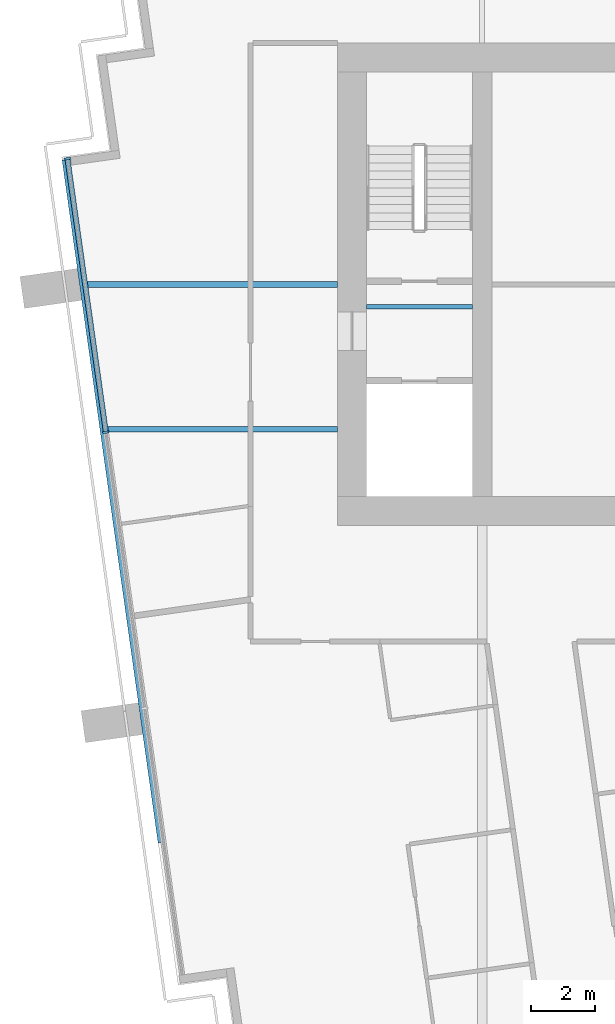
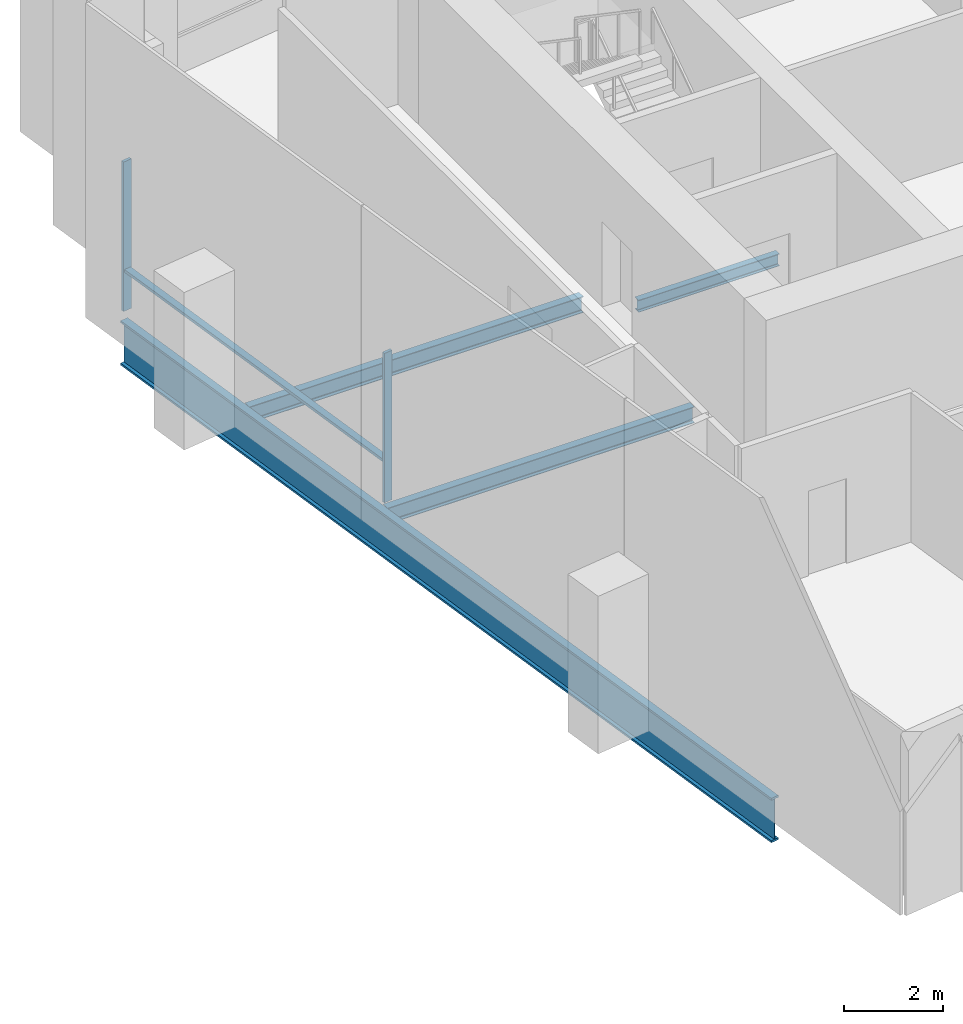
# One storey, part 3 of 15: 4 beams, 3 members, 1 element without a shape of its own.
"""IFC4 building model written with IfcOpenShell, lengths in metres."""

import ifcopenshell
import ifcopenshell.guid

model = None  # the IFC model being written
_history = None  # IfcOwnerHistory: only IFC2X3 demands one
_inside = {}  # id of a spatial element -> (the spatial element, [elements in it])
_under = {}  # id of a project, library or spatial element -> (it, [spatial elements below it])
_declared = {}  # id of a project -> (the project, [libraries it declares])
_typed = {}  # id of a type object -> (the type object, [elements of that type])
_made_of = {}  # id of a material, layer set ... -> (it, [elements and type objects made of it])


def new_model(schema):
    """Start an empty IFC model of exactly this schema.

    Asked for "IFC4X3", IfcOpenShell would pick the latest addendum, in which some entities
    have other attributes; the version numbers below select the first issue.
    IFC2X3 requires an IfcOwnerHistory on every rooted entity: one is made here for all.
    """
    global model, _history
    if schema == "IFC4X3":
        model = ifcopenshell.file(schema_version=(4, 3, 0, 0))
    else:
        model = ifcopenshell.file(schema=schema)
    _inside.clear()
    _under.clear()
    _declared.clear()
    _typed.clear()
    _made_of.clear()
    _history = None
    if model.schema == "IFC2X3":
        org = make("IfcOrganization", Name="unknown")
        user = make(
            "IfcPersonAndOrganization",
            ThePerson=make("IfcPerson", FamilyName="unknown"),
            TheOrganization=org,
        )
        app = make(
            "IfcApplication",
            ApplicationDeveloper=org,
            Version="unknown",
            ApplicationFullName="unknown",
            ApplicationIdentifier="unknown",
        )
        _history = make(
            "IfcOwnerHistory",
            OwningUser=user,
            OwningApplication=app,
            ChangeAction="ADDED",
            CreationDate=0,
        )
    return model


def make(cls, **values):
    """One entity of the class cls with the attributes given. An attribute that is None is left unset."""
    return model.create_entity(
        cls, **{name: value for name, value in values.items() if value is not None}
    )


def rooted(cls, **values):
    """An entity with a GlobalId (a new one), such as an element, a storey or a relation."""
    return make(cls, GlobalId=ifcopenshell.guid.new(), OwnerHistory=_history, **values)


def si_unit(unit_type, name, prefix=None):
    """IfcSIUnit, for example si_unit("LENGTHUNIT", "METRE", prefix="MILLI")."""
    return make("IfcSIUnit", UnitType=unit_type, Prefix=prefix, Name=name)


def assignment(units):
    """IfcUnitAssignment: the units of a project."""
    return None if units is None else make("IfcUnitAssignment", Units=units)


def point(xyz):
    """IfcCartesianPoint."""
    return None if xyz is None else make("IfcCartesianPoint", Coordinates=xyz)


def direction(xyz):
    """IfcDirection."""
    return None if xyz is None else make("IfcDirection", DirectionRatios=xyz)


def frame(location, z_axis=None, x_axis=None):
    """IfcAxis2Placement3D, a coordinate frame: its origin and axes. An axis left out is left unset."""
    return make(
        "IfcAxis2Placement3D",
        Location=point(location),
        Axis=direction(z_axis),
        RefDirection=direction(x_axis),
    )


def frame_2d(location, x_axis=None):
    """IfcAxis2Placement2D, a coordinate frame in the plane: its origin and x axis."""
    return make(
        "IfcAxis2Placement2D", Location=point(location), RefDirection=direction(x_axis)
    )


def origin():
    """The frame at (0, 0, 0) with its axes left unset."""
    return frame((0.0, 0.0, 0.0))


def origin_2d():
    """The frame at (0, 0) in the plane with its x axis left unset."""
    return frame_2d((0.0, 0.0))


def place(relative_to, where):
    """IfcLocalPlacement: puts the frame where relative to a parent placement (None: the world)."""
    return make(
        "IfcLocalPlacement", PlacementRelTo=relative_to, RelativePlacement=where
    )


def context(
    kind, dimensions, precision=None, world=None, true_north=None, identifier=None
):
    """IfcGeometricRepresentationContext, for example the 3D "Model" context."""
    return make(
        "IfcGeometricRepresentationContext",
        ContextIdentifier=identifier,
        ContextType=kind,
        CoordinateSpaceDimension=dimensions,
        Precision=precision,
        WorldCoordinateSystem=world,
        TrueNorth=true_north,
    )


def subcontext(parent, identifier, kind, view, scale=None):
    """IfcGeometricRepresentationSubContext, for example "Body" below "Model"."""
    return make(
        "IfcGeometricRepresentationSubContext",
        ContextIdentifier=identifier,
        ContextType=kind,
        ParentContext=parent,
        TargetScale=scale,
        TargetView=view,
    )


def project(units=None, contexts=None):
    """IfcProject with its units and contexts."""
    return rooted(
        "IfcProject",
        Name="project",
        RepresentationContexts=contexts,
        UnitsInContext=assignment(units),
    )


def spatial(cls, under=None, at=None, **own):
    """A site, building, storey or space (cls), placed at a placement, below another one or the project."""
    s = rooted(cls, ObjectPlacement=at, **own)
    if under is not None:
        _under.setdefault(under.id(), (under, []))[1].append(s)
    return s


def profile(cls, at=None, kind="AREA", **sizes):
    """A parametric profile (cls). Its sizes go by their IFC names, for example OverallWidth=200.0."""
    return make(cls, ProfileType=kind, Position=at, **sizes)


def rectangle(**sizes):
    """IfcRectangleProfileDef."""
    return profile("IfcRectangleProfileDef", **sizes)


def i_section(**sizes):
    """IfcIShapeProfileDef."""
    return profile("IfcIShapeProfileDef", **sizes)


def extrude(swept, where, along, depth):
    """IfcExtrudedAreaSolid: the profile swept, set in the frame where, extruded along a direction by depth."""
    return make(
        "IfcExtrudedAreaSolid",
        SweptArea=swept,
        Position=where,
        ExtrudedDirection=direction(along),
        Depth=depth,
    )


def shape(context_of_items, identifier, shape_type, items):
    """IfcShapeRepresentation: the items that make up one representation, for example the "Body"."""
    return make(
        "IfcShapeRepresentation",
        ContextOfItems=context_of_items,
        RepresentationIdentifier=identifier,
        RepresentationType=shape_type,
        Items=items,
    )


def material(Name=None, Category=None):
    """IfcMaterial."""
    return make("IfcMaterial", Name=Name, Category=Category)


def layer(
    of_material, thickness, ventilated=None, Name=None, Category=None, Priority=None
):
    """IfcMaterialLayer: one layer of a wall or slab, of a material (None: an air gap)."""
    return make(
        "IfcMaterialLayer",
        Material=of_material,
        LayerThickness=thickness,
        IsVentilated=ventilated,
        Name=Name,
        Category=Category,
        Priority=Priority,
    )


def layer_set(layers, Name=None):
    """IfcMaterialLayerSet."""
    return make("IfcMaterialLayerSet", MaterialLayers=layers, LayerSetName=Name)


def material_profile(
    of_material, cross_section, Name=None, Category=None, Priority=None
):
    """IfcMaterialProfile: a cross section and its material."""
    return make(
        "IfcMaterialProfile",
        Name=Name,
        Material=of_material,
        Profile=cross_section,
        Priority=Priority,
        Category=Category,
    )


def profile_set(profiles, Name=None, composite=None):
    """IfcMaterialProfileSet."""
    return make(
        "IfcMaterialProfileSet",
        Name=Name,
        MaterialProfiles=profiles,
        CompositeProfile=composite,
    )


def made_of(thing, what):
    """Note that an element or type object is made of a material, layer set ...; save() writes the relation."""
    if what is not None:
        _made_of.setdefault(what.id(), (what, []))[1].append(thing)
    return thing


def type_object(cls, material=None, **own):
    """A type object (cls), such as IfcWallType, which elements share."""
    return made_of(rooted(cls, **own), material)


def element(
    cls,
    number,
    at=None,
    inside=None,
    cuts=None,
    type_object=None,
    material=None,
    context=None,
    identifier="Body",
    shape_type=None,
    held_by="IfcProductDefinitionShape",
    body=None,
    shapes=None,
    **own,
):
    """One element of the class cls, such as IfcWall. Its Tag is "e" and its number.

    at: its placement. inside: the storey or other place that contains it. cuts: it is an
    opening in that element (IfcRelVoidsElement). A single representation is given by context,
    identifier, shape_type and body (its items); several are given by shapes. held_by: the class
    of the entity that holds the representations. save() writes the other relations.
    """
    e = rooted(cls, Tag="e%d" % number, ObjectPlacement=at, **own)
    if body is not None:
        shapes = [shape(context, identifier, shape_type, body)]
    if shapes is not None:
        e.Representation = make(held_by, Representations=shapes)
    if inside is not None:
        _inside.setdefault(inside.id(), (inside, []))[1].append(e)
    if cuts is not None:
        rooted(
            "IfcRelVoidsElement", RelatingBuildingElement=cuts, RelatedOpeningElement=e
        )
    if type_object is not None:
        _typed.setdefault(type_object.id(), (type_object, []))[1].append(e)
    return made_of(e, material)


def aggregate(whole, parts):
    """IfcRelAggregates: a whole, such as a stair, and the parts it consists of."""
    return rooted("IfcRelAggregates", RelatingObject=whole, RelatedObjects=parts)


def save(model, path):
    """Write the relations noted so far, then the file.

    IfcRelAggregates (storeys below a building ...), IfcRelContainedInSpatialStructure (elements
    in a storey), IfcRelDefinesByType, IfcRelAssociatesMaterial and IfcRelDeclares: one each for
    every whole, place, type object, material and project.
    """
    for whole, parts in _under.values():
        aggregate(whole, parts)
    for where, things in _inside.values():
        rooted(
            "IfcRelContainedInSpatialStructure",
            RelatedElements=things,
            RelatingStructure=where,
        )
    for kind, things in _typed.values():
        rooted("IfcRelDefinesByType", RelatedObjects=things, RelatingType=kind)
    for what, things in _made_of.values():
        rooted("IfcRelAssociatesMaterial", RelatedObjects=things, RelatingMaterial=what)
    for by, libraries in _declared.values():
        rooted("IfcRelDeclares", RelatingContext=by, RelatedDefinitions=libraries)
    model.write(path)


model = new_model("IFC4")

# Units and contexts
model_context = context("Model", 3, precision=1e-05, world=origin(), true_north=direction((0.0, 1.0)))
body_context = subcontext(model_context, "Body", "Model", "MODEL_VIEW")
ifc_project = project(units=[si_unit("LENGTHUNIT", "METRE"), si_unit("AREAUNIT", "SQUARE_METRE"), si_unit("VOLUMEUNIT", "CUBIC_METRE"), si_unit("PLANEANGLEUNIT", "RADIAN"), si_unit("MASSUNIT", "GRAM", prefix="KILO")], contexts=[model_context])

# Site, building, storey
site_placement = place(None, origin())
site = spatial("IfcSite", under=ifc_project, at=site_placement, CompositionType="ELEMENT")
building_placement = place(site_placement, origin())
building = spatial("IfcBuilding", under=site, at=building_placement, Name="Rattan Terrace Tower", CompositionType="ELEMENT")
storey_placement = place(building_placement, frame((0.0, 0.0, 266.800048828125)))
storey = spatial("IfcBuildingStorey", under=building, at=storey_placement, Name="L61", CompositionType="ELEMENT", Elevation=266.800048828125)

# Beams
ifc_material_1 = material(Name="Steel S460", Category="steel")
ifc_material_profile_1 = material_profile(ifc_material_1, i_section(OverallWidth=0.179931640625, OverallDepth=1.10009765625, WebThickness=0.01611328125, FlangeThickness=0.050048828125, at=origin_2d()), Name="PG 1100x180-16-50")
ifc_profile_set_1 = profile_set([ifc_material_profile_1], Name="Steel S460")
beam_type_1 = type_object("IfcBeamType", Name="Frame edge girder PG 1100x180-16-50", PredefinedType="SPANDREL", material=ifc_profile_set_1)
beam_1_placement = place(storey_placement, frame((-23.485107421875, -17.347900390625, -0.75), z_axis=(-0.139189723544, 0.990265732448, 0.0), x_axis=(-0.990265732448, -0.139189723544, 0.0)))
element("IfcBeam", 1, at=beam_1_placement, inside=storey, type_object=beam_type_1, Name="gdr-L61-003", PredefinedType="SPANDREL", context=body_context, shape_type="SweptSolid", body=[
    extrude(i_section(OverallWidth=0.179931640625, OverallDepth=1.10009765625, WebThickness=0.01611328125, FlangeThickness=0.050048828125, at=origin_2d()), origin(), (0.0, 0.0, 1.0), 21.430419921875),
])
ifc_material_2 = material(Name="Steel S355", Category="steel")
ifc_material_profile_2 = material_profile(ifc_material_2, i_section(OverallWidth=0.14990234375, OverallDepth=0.300048828125, WebThickness=0.007080078125, FlangeThickness=0.0107421875, FilletRadius=0.014892578125, at=origin_2d()), Name="IPE 300")
ifc_profile_set_2 = profile_set([ifc_material_profile_2], Name="Steel S355")
beam_type_2 = type_object("IfcBeamType", Name="Frame floor beam IPE 300", PredefinedType="JOIST", material=ifc_profile_set_2)
beam_2_placement = place(storey_placement, frame((-17.10009765625, -0.695068359375, -0.35009765625), z_axis=(1.0, 0.0, 0.0), x_axis=(0.0, 1.0, 0.0)))
element("IfcBeam", 2, at=beam_2_placement, inside=storey, type_object=beam_type_2, Name="bm-L61-001", PredefinedType="JOIST", context=body_context, shape_type="SweptSolid", body=[
    extrude(i_section(OverallWidth=0.14990234375, OverallDepth=0.300048828125, WebThickness=0.007080078125, FlangeThickness=0.0107421875, FilletRadius=0.014892578125, at=origin_2d()), origin(), (0.0, 0.0, 1.0), 3.300048828125),
])
ifc_material_3 = material(Name="Steel S355", Category="steel")
ifc_material_profile_3 = material_profile(ifc_material_3, i_section(OverallWidth=0.179931640625, OverallDepth=0.39990234375, WebThickness=0.008544921875, FlangeThickness=0.013427734375, FilletRadius=0.02099609375, at=origin_2d()), Name="IPE 400")
ifc_profile_set_3 = profile_set([ifc_material_profile_3], Name="Steel S355")
beam_type_3 = type_object("IfcBeamType", Name="Frame floor beam IPE 400", PredefinedType="JOIST", material=ifc_profile_set_3)
beam_3_placement = place(storey_placement, frame((-25.18701171875, -4.5, -0.400146484375), z_axis=(1.0, 0.0, 0.0), x_axis=(0.0, 1.0, 0.0)))
element("IfcBeam", 3, at=beam_3_placement, inside=storey, type_object=beam_type_3, Name="bm-L61-010", PredefinedType="JOIST", context=body_context, shape_type="SweptSolid", body=[
    extrude(i_section(OverallWidth=0.179931640625, OverallDepth=0.39990234375, WebThickness=0.008544921875, FlangeThickness=0.013427734375, FilletRadius=0.02099609375, at=origin_2d()), origin(), (0.0, 0.0, 1.0), 7.18701171875),
])
beam_4_placement = place(storey_placement, frame((-25.820068359375, 0.0, -0.400146484375), z_axis=(1.0, 0.0, 0.0), x_axis=(0.0, 1.0, 0.0)))
element("IfcBeam", 4, at=beam_4_placement, inside=storey, type_object=beam_type_3, Name="bm-L61-012", PredefinedType="JOIST", context=body_context, shape_type="SweptSolid", body=[
    extrude(i_section(OverallWidth=0.179931640625, OverallDepth=0.39990234375, WebThickness=0.008544921875, FlangeThickness=0.013427734375, FilletRadius=0.02099609375, at=origin_2d()), origin(), (0.0, 0.0, 1.0), 7.820068359375),
])

# Curtain wall, members
ifc_material_4 = material(Name="Aluminium and laminated glass", Category="aluminium")
ifc_layer = layer(ifc_material_4, 0.199951171875)
ifc_layer_set = layer_set([ifc_layer], Name="High-Zone Unitised Curtain Wall")
curtain_wall_type = type_object("IfcCurtainWallType", Name="High-Zone Unitised Curtain Wall", PredefinedType="NOTDEFINED", material=ifc_layer_set)
curtain_wall_placement = place(storey_placement, origin())
curtain_wall = element("IfcCurtainWall", 5, at=curtain_wall_placement, inside=storey, type_object=curtain_wall_type, Name="High-zone curtain wall L61-3", PredefinedType="NOTDEFINED")
ifc_material_5 = material(Name="Aluminium", Category="aluminium")
ifc_material_profile_4 = material_profile(ifc_material_5, rectangle(XDim=0.070068359375, YDim=0.199951171875, at=origin_2d()), Name="Aluminium 70x200")
ifc_profile_set_4 = profile_set([ifc_material_profile_4], Name="Aluminium")
member_type_1 = type_object("IfcMemberType", Name="High-Zone CW Mullion 70x200", PredefinedType="MULLION", material=ifc_profile_set_4)
member_1_placement = place(storey_placement, frame((-26.3916015625, 3.908447265625, 0.0), z_axis=(0.0, 0.0, 1.0), x_axis=(0.139191775431, -0.990265444036, 0.0)))
member_1 = element("IfcMember", 6, at=member_1_placement, type_object=member_type_1, Name="Mullion cwl-L61-003.1", PredefinedType="MULLION", context=body_context, shape_type="SweptSolid", body=[
    extrude(rectangle(XDim=0.070068359375, YDim=0.199951171875, at=origin_2d()), origin(), (0.0, 0.0, 1.0), 3.699951171875),
])
member_2_placement = place(storey_placement, frame((-25.1962890625, -4.594970703125, 0.0), z_axis=(0.0, 0.0, 1.0), x_axis=(0.139191775431, -0.990265444036, 0.0)))
member_2 = element("IfcMember", 7, at=member_2_placement, type_object=member_type_1, Name="Mullion cwl-L61-003.2", PredefinedType="MULLION", context=body_context, shape_type="SweptSolid", body=[
    extrude(rectangle(XDim=0.070068359375, YDim=0.199951171875, at=origin_2d()), origin(), (0.0, 0.0, 1.0), 3.699951171875),
])
ifc_material_6 = material(Name="Aluminium", Category="aluminium")
ifc_material_profile_5 = material_profile(ifc_material_6, rectangle(XDim=0.159912109375, YDim=0.070068359375, at=origin_2d()), Name="Aluminium 160x70")
ifc_profile_set_5 = profile_set([ifc_material_profile_5], Name="Aluminium")
member_type_2 = type_object("IfcMemberType", Name="High-Zone CW Transom 160x70", PredefinedType="USERDEFINED", material=ifc_profile_set_5)
member_3_placement = place(storey_placement, frame((-26.38671875, 3.873779296875, 1.0), z_axis=(0.139197734293, -0.99026460644, 0.0), x_axis=(0.99026460644, 0.139197734293, 0.0)))
member_3 = element("IfcMember", 8, at=member_3_placement, type_object=member_type_2, Name="Transom cwl-L61-003.1", ObjectType="TRANSOM", PredefinedType="USERDEFINED", context=body_context, shape_type="SweptSolid", body=[
    extrude(rectangle(XDim=0.159912109375, YDim=0.070068359375, at=origin_2d()), origin(), (0.0, 0.0, 1.0), 8.51708984375),
])
aggregate(curtain_wall, [member_1, member_2, member_3])

save(model, "model.ifc")
